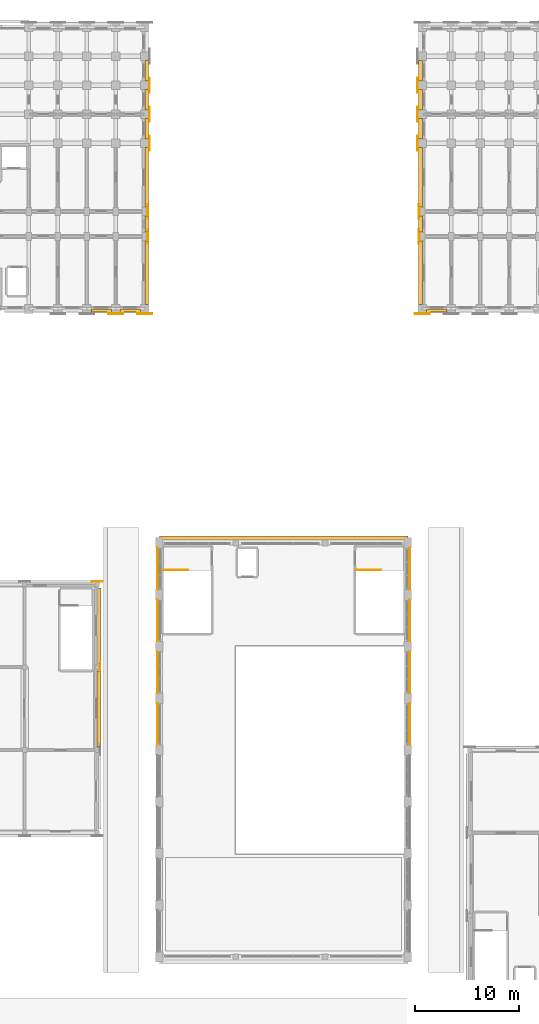
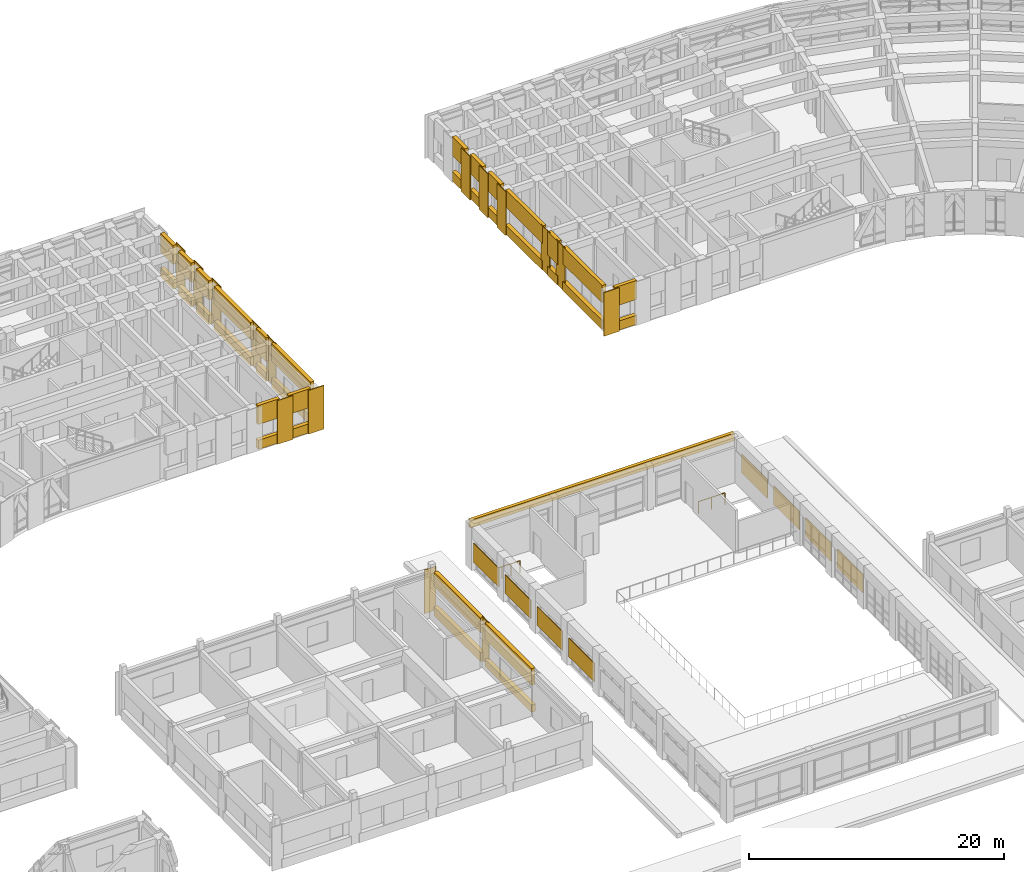
# One storey, part 92 of 97: 50 coverings, 8 shading devices, 2 railings.
"""IFC4 building model written with IfcOpenShell, lengths in metres."""

from ifc_helpers import new_model, si_unit, direction, frame, origin, origin_2d, place, context, subcontext, project, spatial, polyline, rectangle, circle, outline, extrude, material, layer, layer_set, type_object, element, save


model = new_model("IFC4")

# Units and contexts
model_context = context("Model", 3, precision=1e-05, world=origin(), true_north=direction((0.0, 1.0)))
body_context = subcontext(model_context, "Body", "Model", "MODEL_VIEW")
ifc_project = project(units=[si_unit("LENGTHUNIT", "METRE"), si_unit("AREAUNIT", "SQUARE_METRE"), si_unit("VOLUMEUNIT", "CUBIC_METRE"), si_unit("PLANEANGLEUNIT", "RADIAN"), si_unit("MASSUNIT", "GRAM", prefix="KILO")], contexts=[model_context])

# Site, building, storey
site_placement = place(None, origin())
site = spatial("IfcSite", under=ifc_project, at=site_placement, CompositionType="ELEMENT")
building_placement = place(site_placement, origin())
building = spatial("IfcBuilding", under=site, at=building_placement, Name="Kiranvali Square Residences", CompositionType="ELEMENT")
storey_placement = place(building_placement, frame((0.0, 0.0, 4.5)))
storey = spatial("IfcBuildingStorey", under=building, at=storey_placement, Name="L01", CompositionType="ELEMENT", Elevation=4.5)

# Coverings
ifc_material_1 = material(Name="Carved Porbandar limestone classical entablature and cornice", Category="masonry")
ifc_layer_1 = layer(ifc_material_1, 0.449951171875)
ifc_layer_set_1 = layer_set([ifc_layer_1], Name="Carved Porbandar limestone classical entablature and cornice")
covering_type_1 = type_object("IfcCoveringType", Name="COV-CLAD-CORN", PredefinedType="CLADDING", material=ifc_layer_set_1)
covering_1_placement = place(storey_placement, frame((0.0, 0.0, 3.449951171875)))
element("IfcCovering", 1, at=covering_1_placement, inside=storey, type_object=covering_type_1, Name="Community Hall N Classical limestone vault springing entablature", PredefinedType="CLADDING", context=body_context, shape_type="SweptSolid", body=[
    extrude(outline(polyline([(72.0, 84.35205078125), (96.0, 84.35205078125), (96.0, 84.64990234375), (72.0, 84.64990234375), (72.0, 84.35205078125)])), origin(), (0.0, 0.0, 1.0), 0.72998046875),
])
ifc_material_2 = material(Name="Honed Porbandar limestone ashlar facade cladding", Category="masonry")
ifc_layer_2 = layer(ifc_material_2, 0.06494140625)
ifc_layer_set_2 = layer_set([ifc_layer_2], Name="Honed Porbandar limestone ashlar facade cladding")
covering_type_2 = type_object("IfcCoveringType", Name="COV-CLAD-PIER", PredefinedType="CLADDING", material=ifc_layer_set_2)
covering_2_placement = place(storey_placement, frame((0.0, 0.0, 0.0048828125)))
element("IfcCovering", 2, at=covering_2_placement, inside=storey, type_object=covering_type_2, Name="L01 Classical limestone pilaster casing CLAD-NR-L01-N4", PredefinedType="CLADDING", context=body_context, shape_type="SweptSolid", body=[
    extrude(outline(polyline([(65.469970703125, 80.25048828125), (66.530029296875, 80.25048828125), (66.530029296875, 80.318115234375), (65.469970703125, 80.318115234375), (65.469970703125, 80.25048828125)])), origin(), (0.0, 0.0, 1.0), 4.190185546875),
])
covering_3_placement = place(storey_placement, frame((0.0, 0.0, 0.0048828125)))
element("IfcCovering", 3, at=covering_3_placement, inside=storey, type_object=covering_type_2, Name="L01 Classical limestone pilaster casing CLAD-NR-L01-E2", PredefinedType="CLADDING", context=body_context, shape_type="SweptSolid", body=[
    extrude(outline(polyline([(66.318115234375, 71.469970703125), (66.318115234375, 72.530029296875), (66.25048828125, 72.530029296875), (66.25048828125, 71.469970703125), (66.318115234375, 71.469970703125)])), origin(), (0.0, 0.0, 1.0), 4.190185546875),
])
ifc_layer_3 = layer(ifc_material_2, 0.050048828125)
ifc_layer_set_3 = layer_set([ifc_layer_3], Name="Honed Porbandar limestone ashlar facade cladding")
covering_type_3 = type_object("IfcCoveringType", Name="COV-CLAD-PIER-IN", PredefinedType="CLADDING", material=ifc_layer_set_3)
covering_4_placement = place(storey_placement, frame((0.0, 0.0, 0.0048828125)))
element("IfcCovering", 4, at=covering_4_placement, inside=storey, type_object=covering_type_3, Name="L01 Classical limestone pilaster casing CLAD-PRA1I-A-L01-U195", PredefinedType="CLADDING", context=body_context, shape_type="SweptSolid", body=[
    extrude(outline(polyline([(67.094970703125, 106.10693359375), (68.5048828125, 106.10693359375), (68.5048828125, 106.174560546875), (67.094970703125, 106.174560546875), (67.094970703125, 106.10693359375)])), origin(), (0.0, 0.0, 1.0), 4.190185546875),
])
covering_5_placement = place(storey_placement, frame((0.0, 0.0, 0.0048828125)))
element("IfcCovering", 5, at=covering_5_placement, inside=storey, type_object=covering_type_3, Name="L01 Classical limestone pilaster casing CLAD-PRA1I-A-L01-U224", PredefinedType="CLADDING", context=body_context, shape_type="SweptSolid", body=[
    extrude(outline(polyline([(69.89501953125, 106.10693359375), (71.304931640625, 106.10693359375), (71.304931640625, 106.174560546875), (69.89501953125, 106.174560546875), (69.89501953125, 106.10693359375)])), origin(), (0.0, 0.0, 1.0), 4.190185546875),
])
covering_6_placement = place(storey_placement, frame((0.0, 0.0, 0.0048828125)))
element("IfcCovering", 6, at=covering_6_placement, inside=storey, type_object=covering_type_3, Name="L01 Classical limestone pilaster casing CLAD-PRA1I-B-L01-U224", PredefinedType="CLADDING", context=body_context, shape_type="SweptSolid", body=[
    extrude(outline(polyline([(98.10498046875, 106.174560546875), (96.695068359375, 106.174560546875), (96.695068359375, 106.10693359375), (98.10498046875, 106.10693359375), (98.10498046875, 106.174560546875)])), origin(), (0.0, 0.0, 1.0), 4.190185546875),
])
ifc_layer_4 = layer(ifc_material_2, 0.054931640625)
ifc_layer_set_4 = layer_set([ifc_layer_4], Name="Honed Porbandar limestone ashlar facade cladding")
covering_type_4 = type_object("IfcCoveringType", Name="COV-CLAD-PIER-UP", PredefinedType="CLADDING", material=ifc_layer_set_4)
covering_7_placement = place(storey_placement, frame((0.0, 0.0, 0.0048828125)))
element("IfcCovering", 7, at=covering_7_placement, inside=storey, type_object=covering_type_4, Name="L01 Classical limestone pilaster casing CLAD-PRA1E-A-L01-R258", PredefinedType="CLADDING", context=body_context, shape_type="SweptSolid", body=[
    extrude(outline(polyline([(70.91796875, 112.89501953125), (70.91796875, 114.304931640625), (70.8505859375, 114.304931640625), (70.8505859375, 112.89501953125), (70.91796875, 112.89501953125)])), origin(), (0.0, 0.0, 1.0), 4.190185546875),
])
covering_8_placement = place(storey_placement, frame((0.0, 0.0, 0.0048828125)))
element("IfcCovering", 8, at=covering_8_placement, inside=storey, type_object=covering_type_4, Name="L01 Classical limestone pilaster casing CLAD-PRA1E-A-L01-R282", PredefinedType="CLADDING", context=body_context, shape_type="SweptSolid", body=[
    extrude(outline(polyline([(70.91796875, 115.294921875), (70.91796875, 116.705078125), (70.8505859375, 116.705078125), (70.8505859375, 115.294921875), (70.91796875, 115.294921875)])), origin(), (0.0, 0.0, 1.0), 4.190185546875),
])
covering_9_placement = place(storey_placement, frame((0.0, 0.0, 0.0048828125)))
element("IfcCovering", 9, at=covering_9_placement, inside=storey, type_object=covering_type_4, Name="L01 Classical limestone pilaster casing CLAD-PRA1E-A-L01-R348", PredefinedType="CLADDING", context=body_context, shape_type="SweptSolid", body=[
    extrude(outline(polyline([(71.093017578125, 121.89501953125), (71.093017578125, 123.304931640625), (71.025390625, 123.304931640625), (71.025390625, 121.89501953125), (71.093017578125, 121.89501953125)])), origin(), (0.0, 0.0, 1.0), 4.190185546875),
])
covering_10_placement = place(storey_placement, frame((0.0, 0.0, 0.0048828125)))
element("IfcCovering", 10, at=covering_10_placement, inside=storey, type_object=covering_type_4, Name="L01 Classical limestone pilaster casing CLAD-PRA1E-A-L01-R376", PredefinedType="CLADDING", context=body_context, shape_type="SweptSolid", body=[
    extrude(outline(polyline([(71.093017578125, 124.695068359375), (71.093017578125, 126.10498046875), (71.025390625, 126.10498046875), (71.025390625, 124.695068359375), (71.093017578125, 124.695068359375)])), origin(), (0.0, 0.0, 1.0), 4.190185546875),
])
covering_11_placement = place(storey_placement, frame((0.0, 0.0, 0.0048828125)))
element("IfcCovering", 11, at=covering_11_placement, inside=storey, type_object=covering_type_4, Name="L01 Classical limestone pilaster casing CLAD-PRA1E-A-L01-R404", PredefinedType="CLADDING", context=body_context, shape_type="SweptSolid", body=[
    extrude(outline(polyline([(71.093017578125, 127.4951171875), (71.093017578125, 128.905029296875), (71.025390625, 128.905029296875), (71.025390625, 127.4951171875), (71.093017578125, 127.4951171875)])), origin(), (0.0, 0.0, 1.0), 4.190185546875),
])
covering_12_placement = place(storey_placement, frame((0.0, 0.0, 0.0048828125)))
element("IfcCovering", 12, at=covering_12_placement, inside=storey, type_object=covering_type_4, Name="L01 Classical limestone pilaster casing CLAD-PRA1E-B-L01-R258", PredefinedType="CLADDING", context=body_context, shape_type="SweptSolid", body=[
    extrude(outline(polyline([(97.1494140625, 112.89501953125), (97.1494140625, 114.304931640625), (97.08203125, 114.304931640625), (97.08203125, 112.89501953125), (97.1494140625, 112.89501953125)])), origin(), (0.0, 0.0, 1.0), 4.190185546875),
])
covering_13_placement = place(storey_placement, frame((0.0, 0.0, 0.0048828125)))
element("IfcCovering", 13, at=covering_13_placement, inside=storey, type_object=covering_type_4, Name="L01 Classical limestone pilaster casing CLAD-PRA1E-B-L01-R282", PredefinedType="CLADDING", context=body_context, shape_type="SweptSolid", body=[
    extrude(outline(polyline([(97.1494140625, 115.294921875), (97.1494140625, 116.705078125), (97.08203125, 116.705078125), (97.08203125, 115.294921875), (97.1494140625, 115.294921875)])), origin(), (0.0, 0.0, 1.0), 4.190185546875),
])
covering_14_placement = place(storey_placement, frame((0.0, 0.0, 0.0048828125)))
element("IfcCovering", 14, at=covering_14_placement, inside=storey, type_object=covering_type_4, Name="L01 Classical limestone pilaster casing CLAD-PRA1E-B-L01-R348", PredefinedType="CLADDING", context=body_context, shape_type="SweptSolid", body=[
    extrude(outline(polyline([(96.974609375, 121.89501953125), (96.974609375, 123.304931640625), (96.906982421875, 123.304931640625), (96.906982421875, 121.89501953125), (96.974609375, 121.89501953125)])), origin(), (0.0, 0.0, 1.0), 4.190185546875),
])
covering_15_placement = place(storey_placement, frame((0.0, 0.0, 0.0048828125)))
element("IfcCovering", 15, at=covering_15_placement, inside=storey, type_object=covering_type_4, Name="L01 Classical limestone pilaster casing CLAD-PRA1E-B-L01-R376", PredefinedType="CLADDING", context=body_context, shape_type="SweptSolid", body=[
    extrude(outline(polyline([(96.974609375, 124.695068359375), (96.974609375, 126.10498046875), (96.906982421875, 126.10498046875), (96.906982421875, 124.695068359375), (96.974609375, 124.695068359375)])), origin(), (0.0, 0.0, 1.0), 4.190185546875),
])
covering_16_placement = place(storey_placement, frame((0.0, 0.0, 0.0048828125)))
element("IfcCovering", 16, at=covering_16_placement, inside=storey, type_object=covering_type_4, Name="L01 Classical limestone pilaster casing CLAD-PRA1E-B-L01-R404", PredefinedType="CLADDING", context=body_context, shape_type="SweptSolid", body=[
    extrude(outline(polyline([(96.974609375, 127.4951171875), (96.974609375, 128.905029296875), (96.906982421875, 128.905029296875), (96.906982421875, 127.4951171875), (96.974609375, 127.4951171875)])), origin(), (0.0, 0.0, 1.0), 4.190185546875),
])
ifc_layer_5 = layer(ifc_material_2, 0.360107421875)
ifc_layer_set_5 = layer_set([ifc_layer_5], Name="Honed Porbandar limestone ashlar facade cladding")
covering_type_5 = type_object("IfcCoveringType", Name="COV-CLAD-WALL", PredefinedType="CLADDING", material=ifc_layer_set_5)
covering_17_placement = place(storey_placement, frame((0.0, 0.0, 2.3798828125)))
element("IfcCovering", 17, at=covering_17_placement, inside=storey, type_object=covering_type_5, Name="L01 light limestone spandrel lintel A-L01-A1I-2", PredefinedType="CLADDING", context=body_context, shape_type="SweptSolid", body=[
    extrude(outline(polyline([(65.419921875, 106.280029296875), (67.3798828125, 106.280029296875), (67.3798828125, 106.599609375), (65.419921875, 106.599609375), (65.419921875, 106.280029296875)])), origin(), (0.0, 0.0, 1.0), 1.815185546875),
])
covering_18_placement = place(storey_placement, frame((0.0, 0.0, 0.0048828125)))
element("IfcCovering", 18, at=covering_18_placement, inside=storey, type_object=covering_type_5, Name="L01 limestone window sill apron A-L01-A1I-2", PredefinedType="CLADDING", context=body_context, shape_type="SweptSolid", body=[
    extrude(outline(polyline([(65.419921875, 106.25), (67.3798828125, 106.25), (67.3798828125, 106.599609375), (65.419921875, 106.599609375), (65.419921875, 106.25)])), origin(), (0.0, 0.0, 1.0), 0.875),
])
covering_19_placement = place(storey_placement, frame((0.0, 0.0, 2.3798828125)))
element("IfcCovering", 19, at=covering_19_placement, inside=storey, type_object=covering_type_5, Name="L01 light limestone spandrel lintel A-L01-A1I-3", PredefinedType="CLADDING", context=body_context, shape_type="SweptSolid", body=[
    extrude(outline(polyline([(68.219970703125, 106.280029296875), (70.179931640625, 106.280029296875), (70.179931640625, 106.599609375), (68.219970703125, 106.599609375), (68.219970703125, 106.280029296875)])), origin(), (0.0, 0.0, 1.0), 1.815185546875),
])
covering_20_placement = place(storey_placement, frame((0.0, 0.0, 0.0048828125)))
element("IfcCovering", 20, at=covering_20_placement, inside=storey, type_object=covering_type_5, Name="L01 limestone window sill apron A-L01-A1I-3", PredefinedType="CLADDING", context=body_context, shape_type="SweptSolid", body=[
    extrude(outline(polyline([(68.219970703125, 106.25), (70.179931640625, 106.25), (70.179931640625, 106.599609375), (68.219970703125, 106.599609375), (68.219970703125, 106.25)])), origin(), (0.0, 0.0, 1.0), 0.875),
])
covering_21_placement = place(storey_placement, frame((0.0, 0.0, 2.530029296875)))
element("IfcCovering", 21, at=covering_21_placement, inside=storey, type_object=covering_type_5, Name="L01 light limestone spandrel lintel A-L01-A1END-0", PredefinedType="CLADDING", context=body_context, shape_type="SweptSolid", body=[
    extrude(outline(polyline([(70.93994140625, 107.02001953125), (70.93994140625, 113.179931640625), (70.6005859375, 113.179931640625), (70.6005859375, 107.02001953125), (70.93994140625, 107.02001953125)])), origin(), (0.0, 0.0, 1.0), 1.6650390625),
])
covering_22_placement = place(storey_placement, frame((0.0, 0.0, 0.0048828125)))
element("IfcCovering", 22, at=covering_22_placement, inside=storey, type_object=covering_type_5, Name="L01 limestone window sill apron A-L01-A1END-0", PredefinedType="CLADDING", context=body_context, shape_type="SweptSolid", body=[
    extrude(outline(polyline([(70.969970703125, 107.02001953125), (70.969970703125, 113.179931640625), (70.6005859375, 113.179931640625), (70.6005859375, 107.02001953125), (70.969970703125, 107.02001953125)])), origin(), (0.0, 0.0, 1.0), 0.875),
])
covering_23_placement = place(storey_placement, frame((0.0, 0.0, 1.929931640625)))
element("IfcCovering", 23, at=covering_23_placement, inside=storey, type_object=covering_type_5, Name="L01 light limestone spandrel lintel A-L01-A1END-1", PredefinedType="CLADDING", context=body_context, shape_type="SweptSolid", body=[
    extrude(outline(polyline([(70.93994140625, 114.02001953125), (70.93994140625, 115.580078125), (70.6005859375, 115.580078125), (70.6005859375, 114.02001953125), (70.93994140625, 114.02001953125)])), origin(), (0.0, 0.0, 1.0), 2.26513671875),
])
covering_24_placement = place(storey_placement, frame((0.0, 0.0, 0.0048828125)))
element("IfcCovering", 24, at=covering_24_placement, inside=storey, type_object=covering_type_5, Name="L01 limestone window sill apron A-L01-A1END-1", PredefinedType="CLADDING", context=body_context, shape_type="SweptSolid", body=[
    extrude(outline(polyline([(70.969970703125, 114.02001953125), (70.969970703125, 115.580078125), (70.6005859375, 115.580078125), (70.6005859375, 114.02001953125), (70.969970703125, 114.02001953125)])), origin(), (0.0, 0.0, 1.0), 0.875),
])
covering_25_placement = place(storey_placement, frame((0.0, 0.0, 2.530029296875)))
element("IfcCovering", 25, at=covering_25_placement, inside=storey, type_object=covering_type_5, Name="L01 light limestone spandrel lintel A-L01-A1END-2", PredefinedType="CLADDING", context=body_context, shape_type="SweptSolid", body=[
    extrude(outline(polyline([(70.93994140625, 116.419921875), (70.93994140625, 122.179931640625), (70.6005859375, 122.179931640625), (70.6005859375, 116.419921875), (70.93994140625, 116.419921875)])), origin(), (0.0, 0.0, 1.0), 1.6650390625),
])
covering_26_placement = place(storey_placement, frame((0.0, 0.0, 0.0048828125)))
element("IfcCovering", 26, at=covering_26_placement, inside=storey, type_object=covering_type_5, Name="L01 limestone window sill apron A-L01-A1END-2", PredefinedType="CLADDING", context=body_context, shape_type="SweptSolid", body=[
    extrude(outline(polyline([(70.969970703125, 116.419921875), (70.969970703125, 122.179931640625), (70.6005859375, 122.179931640625), (70.6005859375, 116.419921875), (70.969970703125, 116.419921875)])), origin(), (0.0, 0.0, 1.0), 0.875),
])
covering_27_placement = place(storey_placement, frame((0.0, 0.0, 2.3798828125)))
element("IfcCovering", 27, at=covering_27_placement, inside=storey, type_object=covering_type_5, Name="L01 light limestone spandrel lintel A-L01-A1END-3", PredefinedType="CLADDING", context=body_context, shape_type="SweptSolid", body=[
    extrude(outline(polyline([(70.93994140625, 123.02001953125), (70.93994140625, 124.97998046875), (70.6005859375, 124.97998046875), (70.6005859375, 123.02001953125), (70.93994140625, 123.02001953125)])), origin(), (0.0, 0.0, 1.0), 1.815185546875),
])
covering_28_placement = place(storey_placement, frame((0.0, 0.0, 0.0048828125)))
element("IfcCovering", 28, at=covering_28_placement, inside=storey, type_object=covering_type_5, Name="L01 limestone window sill apron A-L01-A1END-3", PredefinedType="CLADDING", context=body_context, shape_type="SweptSolid", body=[
    extrude(outline(polyline([(70.969970703125, 123.02001953125), (70.969970703125, 124.97998046875), (70.6005859375, 124.97998046875), (70.6005859375, 123.02001953125), (70.969970703125, 123.02001953125)])), origin(), (0.0, 0.0, 1.0), 0.875),
])
covering_29_placement = place(storey_placement, frame((0.0, 0.0, 2.3798828125)))
element("IfcCovering", 29, at=covering_29_placement, inside=storey, type_object=covering_type_5, Name="L01 light limestone spandrel lintel A-L01-A1END-4", PredefinedType="CLADDING", context=body_context, shape_type="SweptSolid", body=[
    extrude(outline(polyline([(70.93994140625, 125.820068359375), (70.93994140625, 127.780029296875), (70.6005859375, 127.780029296875), (70.6005859375, 125.820068359375), (70.93994140625, 125.820068359375)])), origin(), (0.0, 0.0, 1.0), 1.815185546875),
])
covering_30_placement = place(storey_placement, frame((0.0, 0.0, 0.0048828125)))
element("IfcCovering", 30, at=covering_30_placement, inside=storey, type_object=covering_type_5, Name="L01 limestone window sill apron A-L01-A1END-4", PredefinedType="CLADDING", context=body_context, shape_type="SweptSolid", body=[
    extrude(outline(polyline([(70.969970703125, 125.820068359375), (70.969970703125, 127.780029296875), (70.6005859375, 127.780029296875), (70.6005859375, 125.820068359375), (70.969970703125, 125.820068359375)])), origin(), (0.0, 0.0, 1.0), 0.875),
])
covering_31_placement = place(storey_placement, frame((0.0, 0.0, 2.3798828125)))
element("IfcCovering", 31, at=covering_31_placement, inside=storey, type_object=covering_type_5, Name="L01 light limestone spandrel lintel A-L01-A1END-5", PredefinedType="CLADDING", context=body_context, shape_type="SweptSolid", body=[
    extrude(outline(polyline([(70.93994140625, 128.6201171875), (70.93994140625, 130.580078125), (70.6005859375, 130.580078125), (70.6005859375, 128.6201171875), (70.93994140625, 128.6201171875)])), origin(), (0.0, 0.0, 1.0), 1.815185546875),
])
covering_32_placement = place(storey_placement, frame((0.0, 0.0, 0.0048828125)))
element("IfcCovering", 32, at=covering_32_placement, inside=storey, type_object=covering_type_5, Name="L01 limestone window sill apron A-L01-A1END-5", PredefinedType="CLADDING", context=body_context, shape_type="SweptSolid", body=[
    extrude(outline(polyline([(70.969970703125, 128.6201171875), (70.969970703125, 130.580078125), (70.6005859375, 130.580078125), (70.6005859375, 128.6201171875), (70.969970703125, 128.6201171875)])), origin(), (0.0, 0.0, 1.0), 0.875),
])
covering_33_placement = place(storey_placement, frame((0.0, 0.0, 2.3798828125)))
element("IfcCovering", 33, at=covering_33_placement, inside=storey, type_object=covering_type_5, Name="L01 light limestone spandrel lintel B-L01-A1I-3", PredefinedType="CLADDING", context=body_context, shape_type="SweptSolid", body=[
    extrude(outline(polyline([(99.780029296875, 106.599609375), (97.820068359375, 106.599609375), (97.820068359375, 106.280029296875), (99.780029296875, 106.280029296875), (99.780029296875, 106.599609375)])), origin(), (0.0, 0.0, 1.0), 1.815185546875),
])
covering_34_placement = place(storey_placement, frame((0.0, 0.0, 0.0048828125)))
element("IfcCovering", 34, at=covering_34_placement, inside=storey, type_object=covering_type_5, Name="L01 limestone window sill apron B-L01-A1I-3", PredefinedType="CLADDING", context=body_context, shape_type="SweptSolid", body=[
    extrude(outline(polyline([(99.780029296875, 106.599609375), (97.820068359375, 106.599609375), (97.820068359375, 106.25), (99.780029296875, 106.25), (99.780029296875, 106.599609375)])), origin(), (0.0, 0.0, 1.0), 0.875),
])
covering_35_placement = place(storey_placement, frame((0.0, 0.0, 2.530029296875)))
element("IfcCovering", 35, at=covering_35_placement, inside=storey, type_object=covering_type_5, Name="L01 light limestone spandrel lintel B-L01-A1END-0", PredefinedType="CLADDING", context=body_context, shape_type="SweptSolid", body=[
    extrude(outline(polyline([(97.3994140625, 107.02001953125), (97.3994140625, 113.179931640625), (97.06005859375, 113.179931640625), (97.06005859375, 107.02001953125), (97.3994140625, 107.02001953125)])), origin(), (0.0, 0.0, 1.0), 1.6650390625),
])
covering_36_placement = place(storey_placement, frame((0.0, 0.0, 0.0048828125)))
element("IfcCovering", 36, at=covering_36_placement, inside=storey, type_object=covering_type_5, Name="L01 limestone window sill apron B-L01-A1END-0", PredefinedType="CLADDING", context=body_context, shape_type="SweptSolid", body=[
    extrude(outline(polyline([(97.3994140625, 107.02001953125), (97.3994140625, 113.179931640625), (97.030029296875, 113.179931640625), (97.030029296875, 107.02001953125), (97.3994140625, 107.02001953125)])), origin(), (0.0, 0.0, 1.0), 0.875),
])
covering_37_placement = place(storey_placement, frame((0.0, 0.0, 1.929931640625)))
element("IfcCovering", 37, at=covering_37_placement, inside=storey, type_object=covering_type_5, Name="L01 light limestone spandrel lintel B-L01-A1END-1", PredefinedType="CLADDING", context=body_context, shape_type="SweptSolid", body=[
    extrude(outline(polyline([(97.3994140625, 114.02001953125), (97.3994140625, 115.580078125), (97.06005859375, 115.580078125), (97.06005859375, 114.02001953125), (97.3994140625, 114.02001953125)])), origin(), (0.0, 0.0, 1.0), 2.26513671875),
])
covering_38_placement = place(storey_placement, frame((0.0, 0.0, 0.0048828125)))
element("IfcCovering", 38, at=covering_38_placement, inside=storey, type_object=covering_type_5, Name="L01 limestone window sill apron B-L01-A1END-1", PredefinedType="CLADDING", context=body_context, shape_type="SweptSolid", body=[
    extrude(outline(polyline([(97.3994140625, 114.02001953125), (97.3994140625, 115.580078125), (97.030029296875, 115.580078125), (97.030029296875, 114.02001953125), (97.3994140625, 114.02001953125)])), origin(), (0.0, 0.0, 1.0), 0.875),
])
covering_39_placement = place(storey_placement, frame((0.0, 0.0, 2.530029296875)))
element("IfcCovering", 39, at=covering_39_placement, inside=storey, type_object=covering_type_5, Name="L01 light limestone spandrel lintel B-L01-A1END-2", PredefinedType="CLADDING", context=body_context, shape_type="SweptSolid", body=[
    extrude(outline(polyline([(97.3994140625, 116.419921875), (97.3994140625, 122.179931640625), (97.06005859375, 122.179931640625), (97.06005859375, 116.419921875), (97.3994140625, 116.419921875)])), origin(), (0.0, 0.0, 1.0), 1.6650390625),
])
covering_40_placement = place(storey_placement, frame((0.0, 0.0, 0.0048828125)))
element("IfcCovering", 40, at=covering_40_placement, inside=storey, type_object=covering_type_5, Name="L01 limestone window sill apron B-L01-A1END-2", PredefinedType="CLADDING", context=body_context, shape_type="SweptSolid", body=[
    extrude(outline(polyline([(97.3994140625, 116.419921875), (97.3994140625, 122.179931640625), (97.030029296875, 122.179931640625), (97.030029296875, 116.419921875), (97.3994140625, 116.419921875)])), origin(), (0.0, 0.0, 1.0), 0.875),
])
covering_41_placement = place(storey_placement, frame((0.0, 0.0, 2.3798828125)))
element("IfcCovering", 41, at=covering_41_placement, inside=storey, type_object=covering_type_5, Name="L01 light limestone spandrel lintel B-L01-A1END-3", PredefinedType="CLADDING", context=body_context, shape_type="SweptSolid", body=[
    extrude(outline(polyline([(97.3994140625, 123.02001953125), (97.3994140625, 124.97998046875), (97.06005859375, 124.97998046875), (97.06005859375, 123.02001953125), (97.3994140625, 123.02001953125)])), origin(), (0.0, 0.0, 1.0), 1.815185546875),
])
covering_42_placement = place(storey_placement, frame((0.0, 0.0, 0.0048828125)))
element("IfcCovering", 42, at=covering_42_placement, inside=storey, type_object=covering_type_5, Name="L01 limestone window sill apron B-L01-A1END-3", PredefinedType="CLADDING", context=body_context, shape_type="SweptSolid", body=[
    extrude(outline(polyline([(97.3994140625, 123.02001953125), (97.3994140625, 124.97998046875), (97.030029296875, 124.97998046875), (97.030029296875, 123.02001953125), (97.3994140625, 123.02001953125)])), origin(), (0.0, 0.0, 1.0), 0.875),
])
covering_43_placement = place(storey_placement, frame((0.0, 0.0, 2.3798828125)))
element("IfcCovering", 43, at=covering_43_placement, inside=storey, type_object=covering_type_5, Name="L01 light limestone spandrel lintel B-L01-A1END-4", PredefinedType="CLADDING", context=body_context, shape_type="SweptSolid", body=[
    extrude(outline(polyline([(97.3994140625, 125.820068359375), (97.3994140625, 127.780029296875), (97.06005859375, 127.780029296875), (97.06005859375, 125.820068359375), (97.3994140625, 125.820068359375)])), origin(), (0.0, 0.0, 1.0), 1.815185546875),
])
covering_44_placement = place(storey_placement, frame((0.0, 0.0, 0.0048828125)))
element("IfcCovering", 44, at=covering_44_placement, inside=storey, type_object=covering_type_5, Name="L01 limestone window sill apron B-L01-A1END-4", PredefinedType="CLADDING", context=body_context, shape_type="SweptSolid", body=[
    extrude(outline(polyline([(97.3994140625, 125.820068359375), (97.3994140625, 127.780029296875), (97.030029296875, 127.780029296875), (97.030029296875, 125.820068359375), (97.3994140625, 125.820068359375)])), origin(), (0.0, 0.0, 1.0), 0.875),
])
covering_45_placement = place(storey_placement, frame((0.0, 0.0, 2.3798828125)))
element("IfcCovering", 45, at=covering_45_placement, inside=storey, type_object=covering_type_5, Name="L01 light limestone spandrel lintel B-L01-A1END-5", PredefinedType="CLADDING", context=body_context, shape_type="SweptSolid", body=[
    extrude(outline(polyline([(97.3994140625, 128.6201171875), (97.3994140625, 130.580078125), (97.06005859375, 130.580078125), (97.06005859375, 128.6201171875), (97.3994140625, 128.6201171875)])), origin(), (0.0, 0.0, 1.0), 1.815185546875),
])
covering_46_placement = place(storey_placement, frame((0.0, 0.0, 0.0048828125)))
element("IfcCovering", 46, at=covering_46_placement, inside=storey, type_object=covering_type_5, Name="L01 limestone window sill apron B-L01-A1END-5", PredefinedType="CLADDING", context=body_context, shape_type="SweptSolid", body=[
    extrude(outline(polyline([(97.3994140625, 128.6201171875), (97.3994140625, 130.580078125), (97.030029296875, 130.580078125), (97.030029296875, 128.6201171875), (97.3994140625, 128.6201171875)])), origin(), (0.0, 0.0, 1.0), 0.875),
])
covering_47_placement = place(storey_placement, frame((0.0, 0.0, 2.592041015625)))
element("IfcCovering", 47, at=covering_47_placement, inside=storey, type_object=covering_type_5, Name="L01 light limestone spandrel lintel NR-L01-E-1", PredefinedType="CLADDING", context=body_context, shape_type="SweptSolid", body=[
    extrude(outline(polyline([(66.35009765625, 64.35009765625), (66.35009765625, 71.64990234375), (66.00048828125, 71.64990234375), (66.00048828125, 64.35009765625), (66.35009765625, 64.35009765625)])), origin(), (0.0, 0.0, 1.0), 1.60302734375),
])
covering_48_placement = place(storey_placement, frame((0.0, 0.0, 0.0048828125)))
element("IfcCovering", 48, at=covering_48_placement, inside=storey, type_object=covering_type_5, Name="L01 limestone window sill apron NR-L01-E-1", PredefinedType="CLADDING", context=body_context, shape_type="SweptSolid", body=[
    extrude(outline(polyline([(66.3798828125, 64.35009765625), (66.3798828125, 71.64990234375), (66.00048828125, 71.64990234375), (66.00048828125, 64.35009765625), (66.3798828125, 64.35009765625)])), origin(), (0.0, 0.0, 1.0), 0.68701171875),
])
covering_49_placement = place(storey_placement, frame((0.0, 0.0, 2.780029296875)))
element("IfcCovering", 49, at=covering_49_placement, inside=storey, type_object=covering_type_5, Name="L01 light limestone spandrel lintel NR-L01-E-2", PredefinedType="CLADDING", context=body_context, shape_type="SweptSolid", body=[
    extrude(outline(polyline([(66.35009765625, 72.35009765625), (66.35009765625, 79.64990234375), (66.00048828125, 79.64990234375), (66.00048828125, 72.35009765625), (66.35009765625, 72.35009765625)])), origin(), (0.0, 0.0, 1.0), 1.4150390625),
])
covering_50_placement = place(storey_placement, frame((0.0, 0.0, 0.0048828125)))
element("IfcCovering", 50, at=covering_50_placement, inside=storey, type_object=covering_type_5, Name="L01 limestone window sill apron NR-L01-E-2", PredefinedType="CLADDING", context=body_context, shape_type="SweptSolid", body=[
    extrude(outline(polyline([(66.3798828125, 72.35009765625), (66.3798828125, 79.64990234375), (66.00048828125, 79.64990234375), (66.00048828125, 72.35009765625), (66.3798828125, 72.35009765625)])), origin(), (0.0, 0.0, 1.0), 0.875),
])

# Railings
ifc_material_3 = material(Name="Powder-coated architectural bronze balustrade", Category="steel")
railing_type = type_object("IfcRailingType", Name="RL-ST-GUARD-1200", PredefinedType="GUARDRAIL", material=ifc_material_3)
railing_1_placement = place(storey_placement, frame((72.39990234375, 81.39990234375, 0.0)))
element("IfcRailing", 51, at=railing_1_placement, inside=storey, type_object=railing_type, Name="L01 ST-CH1 top well guard 1", PredefinedType="GUARDRAIL", context=body_context, shape_type="SweptSolid", body=[
    extrude(circle(Radius=0.02392578125, at=origin_2d()), frame((0.0, 0.0, 1.1259765625), z_axis=(1.0, 0.0, 0.0), x_axis=(0.0, 1.0, 0.0)), (0.0, 0.0, 1.0), 2.400146484375),
    extrude(circle(Radius=0.02099609375, at=origin_2d()), origin(), (0.0, 0.0, 1.0), 1.101806640625),
    extrude(circle(Radius=0.02099609375, at=origin_2d()), frame((0.800048828125, 0.0, 0.0)), (0.0, 0.0, 1.0), 1.101806640625),
    extrude(circle(Radius=0.02099609375, at=origin_2d()), frame((1.60009765625, 0.0, 0.0)), (0.0, 0.0, 1.0), 1.101806640625),
    extrude(circle(Radius=0.02099609375, at=origin_2d()), frame((2.400146484375, 0.0, 0.0)), (0.0, 0.0, 1.0), 1.101806640625),
])
railing_2_placement = place(storey_placement, frame((91.0, 81.39990234375, 0.0)))
element("IfcRailing", 52, at=railing_2_placement, inside=storey, type_object=railing_type, Name="L01 ST-CH2 top well guard 1", PredefinedType="GUARDRAIL", context=body_context, shape_type="SweptSolid", body=[
    extrude(circle(Radius=0.02392578125, at=origin_2d()), frame((0.0, 0.0, 1.1259765625), z_axis=(1.0, 0.0, 0.0), x_axis=(0.0, 1.0, 0.0)), (0.0, 0.0, 1.0), 2.39990234375),
    extrude(circle(Radius=0.02099609375, at=origin_2d()), origin(), (0.0, 0.0, 1.0), 1.101806640625),
    extrude(circle(Radius=0.02099609375, at=origin_2d()), frame((1.199951171875, 0.0, 0.0)), (0.0, 0.0, 1.0), 1.101806640625),
    extrude(circle(Radius=0.02099609375, at=origin_2d()), frame((2.39990234375, 0.0, 0.0)), (0.0, 0.0, 1.0), 1.101806640625),
])

# Shading devices
ifc_material_4 = material(Name="Anodised bronze aluminium monsoon solar louvre", Category="aluminium")
shading_device_type_1 = type_object("IfcShadingDeviceType", Name="SHD-LVR-2800", PredefinedType="JALOUSIE", material=ifc_material_4)
for number, where, z_axis, x_axis, name in (
    (53, (71.820068359375, 71.5, 0.7998046875), (0.0, 0.0, 1.0), (1.0, 0.0, 0.0), "Community Hall carved stone Mashrabiya screen W6"),
    (54, (96.179931640625, 71.5, 0.7998046875), (0.0, 0.0, 1.0), (1.0, 0.0, 0.0), "Community Hall carved stone Mashrabiya screen E6"),
):
    element("IfcShadingDevice", number, at=place(storey_placement, frame(where, z_axis=z_axis, x_axis=x_axis)), inside=storey, type_object=shading_device_type_1, Name=name, PredefinedType="JALOUSIE", context=body_context, shape_type="SweptSolid", body=[
        extrude(rectangle(XDim=0.06005859375, YDim=4.02001953125, at=origin_2d()), origin(), (0.0, 0.0, 1.0), 1.800048828125),
    ])
shading_device_type_2 = type_object("IfcShadingDeviceType", Name="SHD-LVR-3000", PredefinedType="JALOUSIE", material=ifc_material_4)
for number, where, z_axis, x_axis, name in (
    (55, (71.820068359375, 76.5, 0.7998046875), (0.0, 0.0, 1.0), (1.0, 0.0, 0.0), "Community Hall carved stone Mashrabiya screen W7"),
    (56, (96.179931640625, 76.5, 0.7998046875), (0.0, 0.0, 1.0), (1.0, 0.0, 0.0), "Community Hall carved stone Mashrabiya screen E7"),
):
    element("IfcShadingDevice", number, at=place(storey_placement, frame(where, z_axis=z_axis, x_axis=x_axis)), inside=storey, type_object=shading_device_type_2, Name=name, PredefinedType="JALOUSIE", context=body_context, shape_type="SweptSolid", body=[
        extrude(rectangle(XDim=0.06005859375, YDim=4.02001953125, at=origin_2d()), origin(), (0.0, 0.0, 1.0), 1.800048828125),
    ])
shading_device_type_3 = type_object("IfcShadingDeviceType", Name="SHD-LVR-3400", PredefinedType="JALOUSIE", material=ifc_material_4)
for number, where, z_axis, x_axis, name in (
    (57, (71.820068359375, 66.5, 0.7998046875), (0.0, 0.0, 1.0), (1.0, 0.0, 0.0), "Community Hall carved stone Mashrabiya screen W5"),
    (58, (96.179931640625, 66.5, 0.7998046875), (0.0, 0.0, 1.0), (1.0, 0.0, 0.0), "Community Hall carved stone Mashrabiya screen E5"),
    (59, (71.820068359375, 81.5, 0.7998046875), (0.0, 0.0, 1.0), (1.0, 0.0, 0.0), "Community Hall carved stone Mashrabiya screen W8"),
    (60, (96.179931640625, 81.5, 0.7998046875), (0.0, 0.0, 1.0), (1.0, 0.0, 0.0), "Community Hall carved stone Mashrabiya screen E8"),
):
    element("IfcShadingDevice", number, at=place(storey_placement, frame(where, z_axis=z_axis, x_axis=x_axis)), inside=storey, type_object=shading_device_type_3, Name=name, PredefinedType="JALOUSIE", context=body_context, shape_type="SweptSolid", body=[
        extrude(rectangle(XDim=0.06005859375, YDim=4.02001953125, at=origin_2d()), origin(), (0.0, 0.0, 1.0), 1.800048828125),
    ])

save(model, "model.ifc")
